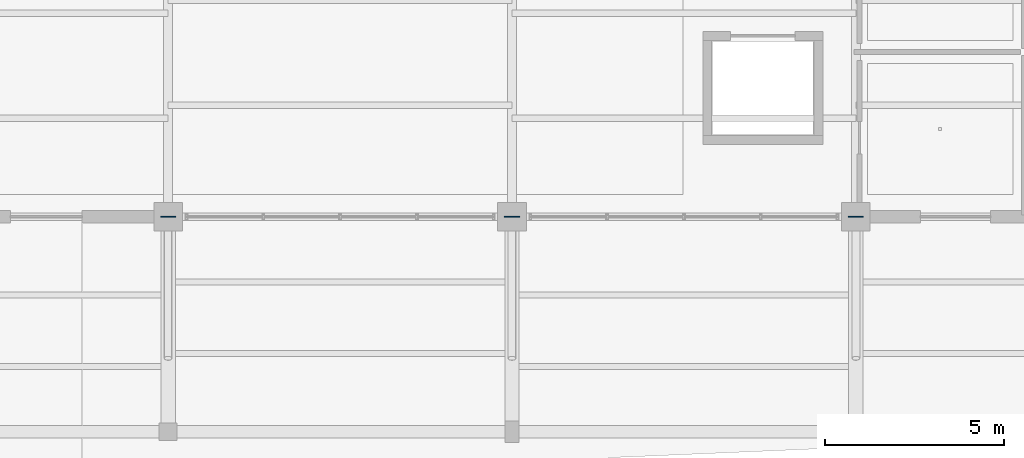
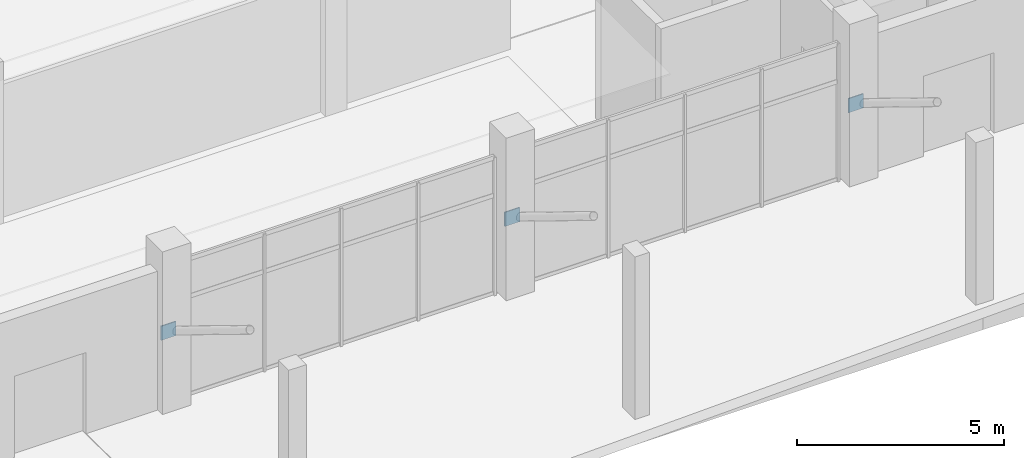
# One storey, part 73 of 116: 3 plates.
"""IFC4 building model written with IfcOpenShell, lengths in metres."""

from ifc_helpers import new_model, si_unit, direction, frame, origin, origin_2d, place, context, subcontext, project, spatial, rectangle, extrude, material, layer, layer_set, type_object, element, save


model = new_model("IFC4")

# Units and contexts
model_context = context("Model", 3, precision=1e-05, world=origin(), true_north=direction((0.0, 1.0)))
body_context = subcontext(model_context, "Body", "Model", "MODEL_VIEW")
ifc_project = project(units=[si_unit("LENGTHUNIT", "METRE"), si_unit("AREAUNIT", "SQUARE_METRE"), si_unit("VOLUMEUNIT", "CUBIC_METRE"), si_unit("PLANEANGLEUNIT", "RADIAN"), si_unit("MASSUNIT", "GRAM", prefix="KILO")], contexts=[model_context])

# Site, building, storey
site_placement = place(None, origin())
site = spatial("IfcSite", under=ifc_project, at=site_placement, CompositionType="ELEMENT")
building_placement = place(site_placement, origin())
building = spatial("IfcBuilding", under=site, at=building_placement, Name="Chalmorin Arch Market", CompositionType="ELEMENT")
storey_placement = place(building_placement, origin())
storey = spatial("IfcBuildingStorey", under=building, at=storey_placement, Name="L00", CompositionType="ELEMENT", Elevation=0.0)

# Plates
ifc_material = material(Name="Steel A572 Grade 50", Category="steel")
ifc_layer = layer(ifc_material, 0.02490234375)
ifc_layer_set = layer_set([ifc_layer], Name="Steel A572 Grade 50")
plate_type = type_object("IfcPlateType", Name="NodeGussetPlate-600x400x25", PredefinedType="SHEET", material=ifc_layer_set)
for number, where, z_axis, x_axis, name in (
    (1, (96.0, 6.0, 1.89013671875), (0.0, 0.0, 1.0), (1.0, 0.0, 0.0), "GP-01-021"),
    (2, (105.60009765625, 6.0, 1.89013671875), (0.0, 0.0, 1.0), (1.0, 0.0, 0.0), "GP-01-023"),
    (3, (115.199951171875, 6.0, 1.89013671875), (0.0, 0.0, 1.0), (1.0, 0.0, 0.0), "GP-01-025"),
):
    element("IfcPlate", number, at=place(storey_placement, frame(where, z_axis=z_axis, x_axis=x_axis)), inside=storey, type_object=plate_type, Name=name, PredefinedType="SHEET", context=body_context, shape_type="SweptSolid", body=[
        extrude(rectangle(XDim=0.419921875, YDim=0.030029296875, at=origin_2d()), origin(), (0.0, 0.0, 1.0), 0.419921875),
    ])

save(model, "model.ifc")
